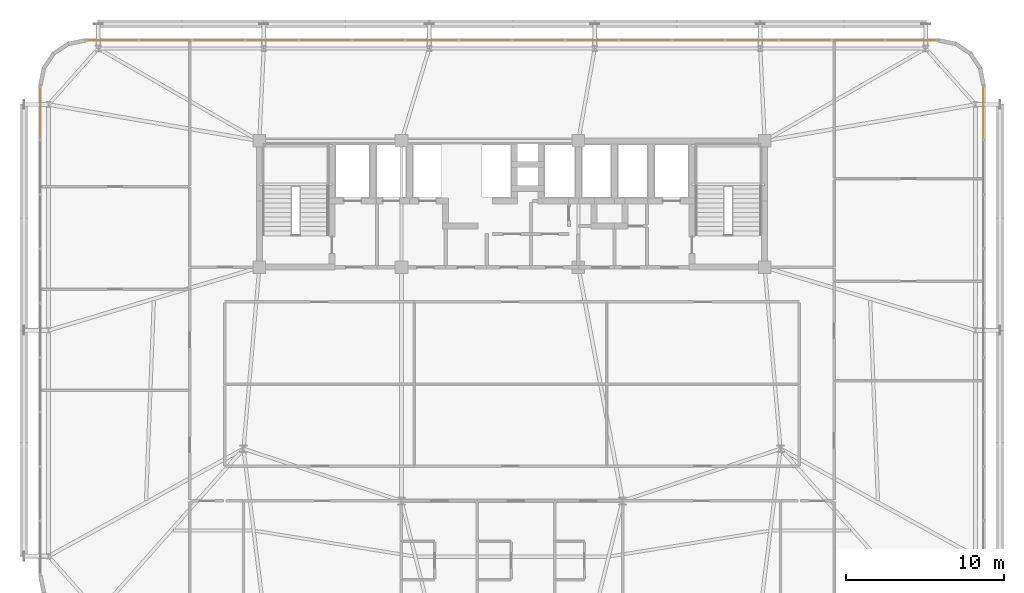
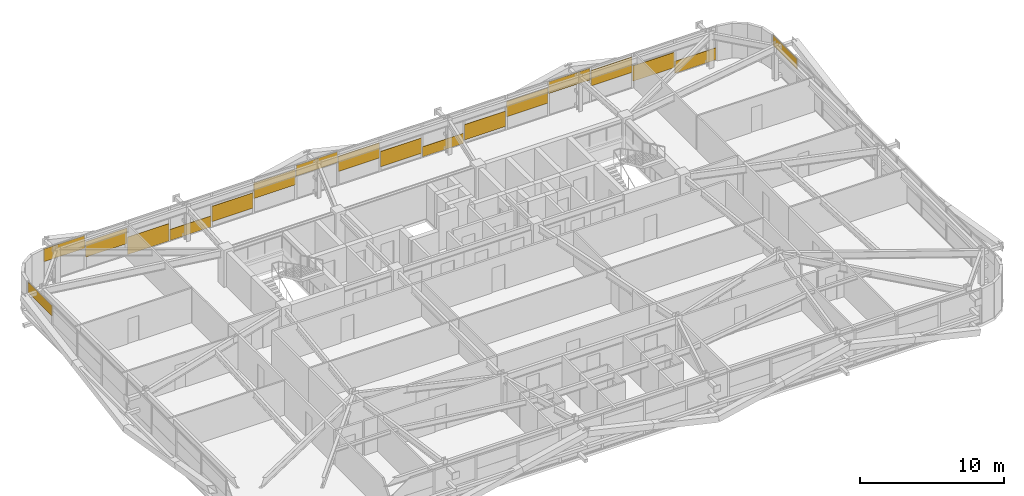
# One storey, part 59 of 59: 18 coverings.
"""IFC4 building model written with IfcOpenShell, lengths in metres."""

from ifc_helpers import new_model, si_unit, direction, frame, origin, origin_2d, place, context, subcontext, project, spatial, rectangle, extrude, source, transform, mapped, material, layer, layer_set, type_object, element, save


model = new_model("IFC4")

# Units and contexts
model_context = context("Model", 3, precision=1e-05, world=origin(), true_north=direction((0.0, 1.0)))
body_context = subcontext(model_context, "Body", "Model", "MODEL_VIEW")
ifc_project = project(units=[si_unit("LENGTHUNIT", "METRE"), si_unit("AREAUNIT", "SQUARE_METRE"), si_unit("VOLUMEUNIT", "CUBIC_METRE"), si_unit("PLANEANGLEUNIT", "RADIAN"), si_unit("MASSUNIT", "GRAM", prefix="KILO")], contexts=[model_context])

# Site, building, storey
site_placement = place(None, origin())
site = spatial("IfcSite", under=ifc_project, at=site_placement, CompositionType="ELEMENT")
building_placement = place(site_placement, origin())
building = spatial("IfcBuilding", under=site, at=building_placement, Name="Taldren Reach Tower", CompositionType="ELEMENT")
storey_placement = place(building_placement, frame((0.0, 0.0, 45.14990234375)))
storey = spatial("IfcBuildingStorey", under=building, at=storey_placement, Name="L13", CompositionType="ELEMENT", Elevation=45.14990234375)

# Coverings
ifc_material = material(Name="Pale Champagne Fluoropolymer Aluminium Spandrel Cladding", Category="aluminium")
ifc_layer = layer(ifc_material, 0.0439453125)
ifc_layer_set = layer_set([ifc_layer], Name="Pale Champagne Fluoropolymer Aluminium Spandrel Cladding")
covering_type = type_object("IfcCoveringType", Name="CV-CLAD-044", PredefinedType="CLADDING", material=ifc_layer_set)
shared_shape_1 = source(origin(), body_context, "Body", "SweptSolid", [
    extrude(rectangle(XDim=3.277587890625, YDim=0.0439453125, at=origin_2d()), origin(), (0.0, 0.0, 1.0), 1.081298828125),
])
covering_1_placement = place(storey_placement, frame((9.703857421875, 38.360107421875, 1.7939453125), z_axis=(0.0, 0.0, 1.0), x_axis=(-1.0, 0.0, 0.0)))
element("IfcCovering", 1, at=covering_1_placement, inside=storey, type_object=covering_type, Name="Diagrid closure cladding strip CW-2 panel 16.1 1", PredefinedType="CLADDING", context=body_context, shape_type="MappedRepresentation", body=[
    mapped(shared_shape_1, transform((0.0, 0.0, 0.0), scale=1.0)),
])
shared_shape_2 = source(origin(), body_context, "Body", "SweptSolid", [
    extrude(rectangle(XDim=3.31005859375, YDim=0.0439453125, at=origin_2d()), origin(), (0.0, 0.0, 1.0), 1.301025390625),
])
for number, where, z_axis, x_axis, name in (
    (2, (56.9375, 38.360107421875, 0.55810546875), (0.0, 0.0, 1.0), (-1.0, 0.0, 0.0), "Diagrid closure cladding strip CW-2 panel 2.1 1"),
    (3, (53.5625, 38.360107421875, 1.34033203125), (0.0, 0.0, 1.0), (-1.0, 0.0, 0.0), "Diagrid closure cladding strip CW-2 panel 3.1 1"),
    (4, (46.8125, 38.360107421875, 1.09375), (0.0, 0.0, 1.0), (-1.0, 0.0, 0.0), "Diagrid closure cladding strip CW-2 panel 5.1 1"),
    (5, (43.4375, 38.360107421875, 0.31103515625), (0.0, 0.0, 1.0), (-1.0, 0.0, 0.0), "Diagrid closure cladding strip CW-2 panel 6.1 1"),
    (6, (36.6875, 38.360107421875, 0.39306640625), (0.0, 0.0, 1.0), (-1.0, 0.0, 0.0), "Diagrid closure cladding strip CW-2 panel 8.1 1"),
    (7, (33.3125, 38.360107421875, 1.17578125), (0.0, 0.0, 1.0), (-1.0, 0.0, 0.0), "Diagrid closure cladding strip CW-2 panel 9.1 1"),
    (8, (26.5625, 38.360107421875, 1.25830078125), (0.0, 0.0, 1.0), (-1.0, 0.0, 0.0), "Diagrid closure cladding strip CW-2 panel 11.1 1"),
    (9, (23.1875, 38.360107421875, 0.4755859375), (0.0, 0.0, 1.0), (-1.0, 0.0, 0.0), "Diagrid closure cladding strip CW-2 panel 12.1 1"),
    (10, (13.0625, 38.360107421875, 1.01123046875), (0.0, 0.0, 1.0), (-1.0, 0.0, 0.0), "Diagrid closure cladding strip CW-2 panel 15.1 1"),
):
    element("IfcCovering", number, at=place(storey_placement, frame(where, z_axis=z_axis, x_axis=x_axis)), inside=storey, type_object=covering_type, Name=name, PredefinedType="CLADDING", context=body_context, shape_type="MappedRepresentation", body=[
        mapped(shared_shape_2, transform((0.0, 0.0, 0.0), scale=1.0)),
    ])
shared_shape_3 = source(origin(), body_context, "Body", "SweptSolid", [
    extrude(rectangle(XDim=3.31005859375, YDim=0.0439453125, at=origin_2d()), origin(), (0.0, 0.0, 1.0), 1.474609375),
])
covering_2_placement = place(storey_placement, frame((16.4375, 38.360107421875, 0.05517578125), z_axis=(0.0, 0.0, 1.0), x_axis=(-1.0, 0.0, 0.0)))
element("IfcCovering", 11, at=covering_2_placement, inside=storey, type_object=covering_type, Name="Diagrid closure cladding strip CW-2 panel 14.1 1", PredefinedType="CLADDING", context=body_context, shape_type="MappedRepresentation", body=[
    mapped(shared_shape_3, transform((0.0, 0.0, 0.0), scale=1.0)),
])
shared_shape_4 = source(origin(), body_context, "Body", "SweptSolid", [
    extrude(rectangle(XDim=3.31005859375, YDim=0.0439453125, at=origin_2d()), origin(), (0.0, 0.0, 1.0), 0.93896484375),
])
covering_3_placement = place(storey_placement, frame((19.8125, 38.360107421875, 0.05517578125), z_axis=(0.0, 0.0, 1.0), x_axis=(-1.0, 0.0, 0.0)))
element("IfcCovering", 12, at=covering_3_placement, inside=storey, type_object=covering_type, Name="Diagrid closure cladding strip CW-2 panel 13.1 1", PredefinedType="CLADDING", context=body_context, shape_type="MappedRepresentation", body=[
    mapped(shared_shape_4, transform((0.0, 0.0, 0.0), scale=1.0)),
])
shared_shape_5 = source(origin(), body_context, "Body", "SweptSolid", [
    extrude(rectangle(XDim=3.31005859375, YDim=0.0439453125, at=origin_2d()), origin(), (0.0, 0.0, 1.0), 0.916748046875),
])
covering_4_placement = place(storey_placement, frame((29.9375, 38.360107421875, 1.95849609375), z_axis=(0.0, 0.0, 1.0), x_axis=(-1.0, 0.0, 0.0)))
element("IfcCovering", 13, at=covering_4_placement, inside=storey, type_object=covering_type, Name="Diagrid closure cladding strip CW-2 panel 10.1 1", PredefinedType="CLADDING", context=body_context, shape_type="MappedRepresentation", body=[
    mapped(shared_shape_5, transform((0.0, 0.0, 0.0), scale=1.0)),
])
shared_shape_6 = source(origin(), body_context, "Body", "SweptSolid", [
    extrude(rectangle(XDim=3.31005859375, YDim=0.0439453125, at=origin_2d()), origin(), (0.0, 0.0, 1.0), 0.856689453125),
])
covering_5_placement = place(storey_placement, frame((40.0625, 38.360107421875, 0.05517578125), z_axis=(0.0, 0.0, 1.0), x_axis=(-1.0, 0.0, 0.0)))
element("IfcCovering", 14, at=covering_5_placement, inside=storey, type_object=covering_type, Name="Diagrid closure cladding strip CW-2 panel 7.1 1", PredefinedType="CLADDING", context=body_context, shape_type="MappedRepresentation", body=[
    mapped(shared_shape_6, transform((0.0, 0.0, 0.0), scale=1.0)),
])
shared_shape_7 = source(origin(), body_context, "Body", "SweptSolid", [
    extrude(rectangle(XDim=3.31005859375, YDim=0.0439453125, at=origin_2d()), origin(), (0.0, 0.0, 1.0), 0.9990234375),
])
covering_6_placement = place(storey_placement, frame((50.1875, 38.360107421875, 1.8759765625), z_axis=(0.0, 0.0, 1.0), x_axis=(-1.0, 0.0, 0.0)))
element("IfcCovering", 15, at=covering_6_placement, inside=storey, type_object=covering_type, Name="Diagrid closure cladding strip CW-2 panel 4.1 1", PredefinedType="CLADDING", context=body_context, shape_type="MappedRepresentation", body=[
    mapped(shared_shape_7, transform((0.0, 0.0, 0.0), scale=1.0)),
])
shared_shape_8 = source(origin(), body_context, "Body", "SweptSolid", [
    extrude(rectangle(XDim=3.277587890625, YDim=0.0439453125, at=origin_2d()), origin(), (0.0, 0.0, 1.0), 1.021240234375),
])
covering_7_placement = place(storey_placement, frame((60.296142578125, 38.360107421875, 0.05517578125), z_axis=(0.0, 0.0, 1.0), x_axis=(-1.0, 0.0, 0.0)))
element("IfcCovering", 16, at=covering_7_placement, inside=storey, type_object=covering_type, Name="Diagrid closure cladding strip CW-2 panel 1.1 1", PredefinedType="CLADDING", context=body_context, shape_type="MappedRepresentation", body=[
    mapped(shared_shape_8, transform((0.0, 0.0, 0.0), scale=1.0)),
])
shared_shape_9 = source(origin(), body_context, "Body", "SweptSolid", [
    extrude(rectangle(XDim=3.346923828125, YDim=0.0439453125, at=origin_2d()), origin(), (0.0, 0.0, 1.0), 0.864501953125),
])
for number, where, z_axis, x_axis, name in (
    (17, (5.139892578125, 33.761474609375, 2.0107421875), (0.0, 0.0, 1.0), (0.0, -1.0, 0.0), "Diagrid closure cladding strip CW-2 panel 1.1 1"),
    (18, (64.860107421875, 33.761474609375, 2.0107421875), (0.0, 0.0, 1.0), (0.0, 1.0, 0.0), "Diagrid closure cladding strip CW-2 panel 9.1 1"),
):
    element("IfcCovering", number, at=place(storey_placement, frame(where, z_axis=z_axis, x_axis=x_axis)), inside=storey, type_object=covering_type, Name=name, PredefinedType="CLADDING", context=body_context, shape_type="MappedRepresentation", body=[
        mapped(shared_shape_9, transform((0.0, 0.0, 0.0), scale=1.0)),
    ])

save(model, "model.ifc")
